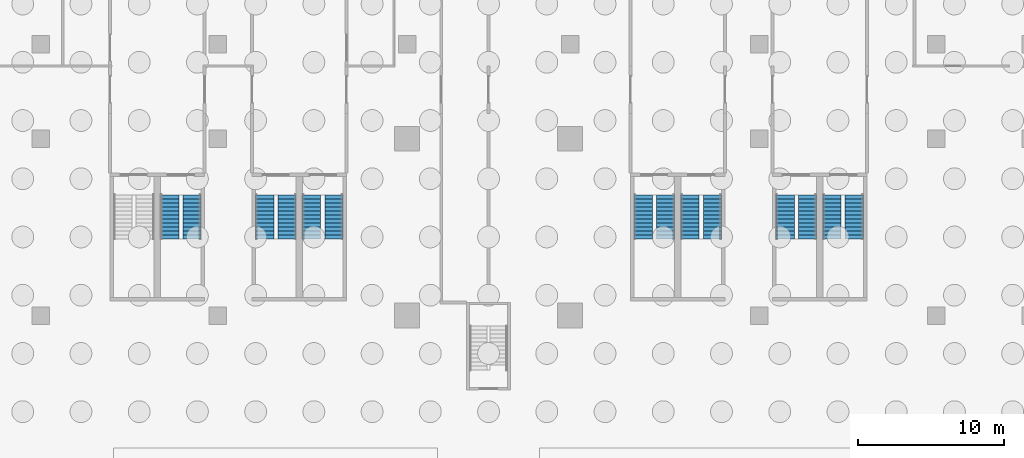
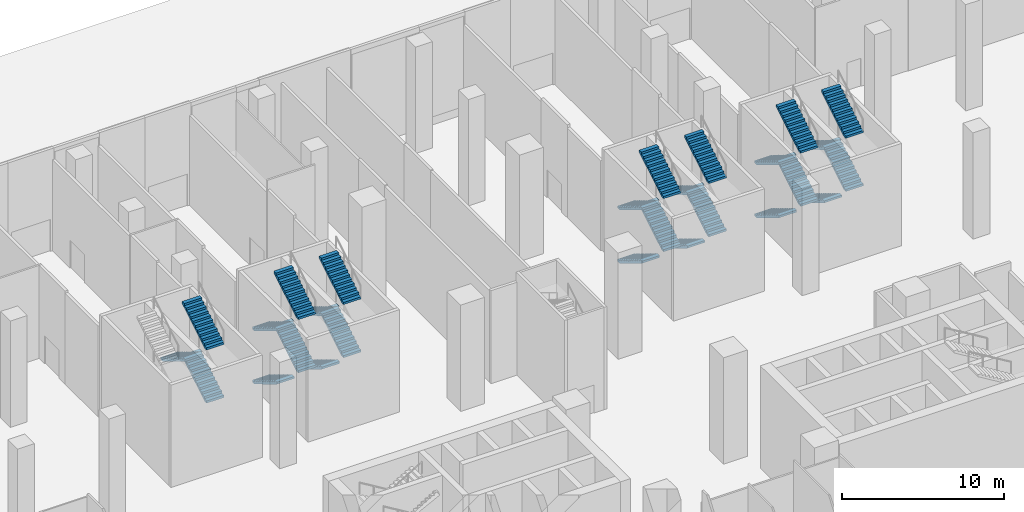
# One storey, part 25 of 27: 27 stair flights, 7 elements without a shape of their own.
"""IFC4 building model written with IfcOpenShell, lengths in metres."""

from ifc_helpers import new_model, si_unit, direction, frame, origin, place, context, subcontext, project, spatial, polyline, outline, extrude, source, transform, mapped, material, type_object, element, aggregate, save


model = new_model("IFC4")

# Units and contexts
model_context = context("Model", 3, precision=1e-05, world=origin(), true_north=direction((0.0, 1.0)))
body_context = subcontext(model_context, "Body", "Model", "MODEL_VIEW")
ifc_project = project(units=[si_unit("LENGTHUNIT", "METRE"), si_unit("AREAUNIT", "SQUARE_METRE"), si_unit("VOLUMEUNIT", "CUBIC_METRE"), si_unit("PLANEANGLEUNIT", "RADIAN"), si_unit("MASSUNIT", "GRAM", prefix="KILO")], contexts=[model_context])

# Site, building, storey
site_placement = place(None, origin())
site = spatial("IfcSite", under=ifc_project, at=site_placement, CompositionType="ELEMENT")
building_placement = place(site_placement, origin())
building = spatial("IfcBuilding", under=site, at=building_placement, Name="Trellis Farm Tower", CompositionType="ELEMENT")
storey_placement = place(building_placement, origin())
storey = spatial("IfcBuildingStorey", under=building, at=storey_placement, Name="L00", CompositionType="ELEMENT", Elevation=0.0)

# Stair, stair flights
ifc_material = material(Name="Concrete C50/60", Category="concrete")
stair_type = type_object("IfcStairType", Name="PODIUM EXIT STAIR 48 RISERS 167 MM 1250 WIDE", PredefinedType="HALF_TURN_STAIR", material=ifc_material)
placement = place(storey_placement, origin())
stair_1 = element("IfcStair", 1, at=placement, inside=storey, type_object=stair_type, Name="Podium exit stair STP1B", PredefinedType="HALF_TURN_STAIR")
stair_flight_type = type_object("IfcStairFlightType", Name="PODIUM STAIR FLIGHT 12 RISERS 167 MM 1250 WIDE", PredefinedType="STRAIGHT", material=ifc_material)
shared_shape = source(origin(), body_context, "Body", "SweptSolid", [
    extrude(outline(polyline([(0.0, 0.0), (0.0, 0.166748046875), (0.27490234375, 0.166748046875), (0.27490234375, 0.333251953125), (0.550048828125, 0.333251953125), (0.550048828125, 0.5), (0.824951171875, 0.5), (0.824951171875, 0.666748046875), (1.10009765625, 0.666748046875), (1.10009765625, 0.833251953125), (1.375, 0.833251953125), (1.375, 1.0), (1.64990234375, 1.0), (1.64990234375, 1.166748046875), (1.925048828125, 1.166748046875), (1.925048828125, 1.333251953125), (2.199951171875, 1.333251953125), (2.199951171875, 1.5), (2.47509765625, 1.5), (2.47509765625, 1.666748046875), (2.75, 1.666748046875), (2.75, 1.833251953125), (3.02490234375, 1.833251953125), (3.02490234375, 2.0), (3.02490234375, 1.681396484375), (0.25048828125, 0.0), (0.0, 0.0)])), frame((0.0, 0.625, 0.0), z_axis=(0.0, -1.0, 0.0), x_axis=(1.0, 0.0, 0.0)), (0.0, 0.0, 1.0), 1.25),
])
stair_flight_1_placement = place(storey_placement, frame((-20.375, 23.875, 2.0), z_axis=(0.0, 0.0, 1.0), x_axis=(0.0, 1.0, 0.0)))
stair_flight_1 = element("IfcStairFlight", 2, at=stair_flight_1_placement, type_object=stair_flight_type, Name="STP1B flight 2", NumberOfRisers=12, NumberOfTreads=11, PredefinedType="STRAIGHT", RiserHeight=0.166666667, TreadLength=0.275, context=body_context, shape_type="MappedRepresentation", body=[
    mapped(shared_shape, transform((0.0, 0.0, 0.0))),
])
stair_flight_2_placement = place(storey_placement, frame((-21.905029296875, 26.89990234375, 4.0), z_axis=(0.0, 0.0, 1.0), x_axis=(0.0, -1.0, 0.0)))
stair_flight_2 = element("IfcStairFlight", 3, at=stair_flight_2_placement, type_object=stair_flight_type, Name="STP1B flight 3", NumberOfRisers=12, NumberOfTreads=11, PredefinedType="STRAIGHT", RiserHeight=0.166666667, TreadLength=0.275, context=body_context, shape_type="MappedRepresentation", body=[
    mapped(shared_shape, transform((0.0, 0.0, 0.0))),
])
stair_flight_3_placement = place(storey_placement, frame((-20.375, 23.875, 6.0), z_axis=(0.0, 0.0, 1.0), x_axis=(0.0, 1.0, 0.0)))
stair_flight_3 = element("IfcStairFlight", 4, at=stair_flight_3_placement, type_object=stair_flight_type, Name="STP1B flight 4", NumberOfRisers=12, NumberOfTreads=11, PredefinedType="STRAIGHT", RiserHeight=0.166666667, TreadLength=0.275, context=body_context, shape_type="MappedRepresentation", body=[
    mapped(shared_shape, transform((0.0, 0.0, 0.0))),
])
aggregate(stair_1, [stair_flight_1, stair_flight_2, stair_flight_3])

stair_2 = element("IfcStair", 5, at=placement, inside=storey, type_object=stair_type, Name="Podium exit stair STP2A", PredefinedType="HALF_TURN_STAIR")
stair_flight_4_placement = place(storey_placement, frame((-15.375, 26.89990234375, 0.0), z_axis=(0.0, 0.0, 1.0), x_axis=(0.0, -1.0, 0.0)))
stair_flight_4 = element("IfcStairFlight", 6, at=stair_flight_4_placement, type_object=stair_flight_type, Name="STP2A flight 1", NumberOfRisers=12, NumberOfTreads=11, PredefinedType="STRAIGHT", RiserHeight=0.166666667, TreadLength=0.275, context=body_context, shape_type="MappedRepresentation", body=[
    mapped(shared_shape, transform((0.0, 0.0, 0.0))),
])
stair_flight_5_placement = place(storey_placement, frame((-13.844970703125, 23.875, 2.0), z_axis=(0.0, 0.0, 1.0), x_axis=(0.0, 1.0, 0.0)))
stair_flight_5 = element("IfcStairFlight", 7, at=stair_flight_5_placement, type_object=stair_flight_type, Name="STP2A flight 2", NumberOfRisers=12, NumberOfTreads=11, PredefinedType="STRAIGHT", RiserHeight=0.166666667, TreadLength=0.275, context=body_context, shape_type="MappedRepresentation", body=[
    mapped(shared_shape, transform((0.0, 0.0, 0.0))),
])
stair_flight_6_placement = place(storey_placement, frame((-15.375, 26.89990234375, 4.0), z_axis=(0.0, 0.0, 1.0), x_axis=(0.0, -1.0, 0.0)))
stair_flight_6 = element("IfcStairFlight", 8, at=stair_flight_6_placement, type_object=stair_flight_type, Name="STP2A flight 3", NumberOfRisers=12, NumberOfTreads=11, PredefinedType="STRAIGHT", RiserHeight=0.166666667, TreadLength=0.275, context=body_context, shape_type="MappedRepresentation", body=[
    mapped(shared_shape, transform((0.0, 0.0, 0.0))),
])
stair_flight_7_placement = place(storey_placement, frame((-13.844970703125, 23.875, 6.0), z_axis=(0.0, 0.0, 1.0), x_axis=(0.0, 1.0, 0.0)))
stair_flight_7 = element("IfcStairFlight", 9, at=stair_flight_7_placement, type_object=stair_flight_type, Name="STP2A flight 4", NumberOfRisers=12, NumberOfTreads=11, PredefinedType="STRAIGHT", RiserHeight=0.166666667, TreadLength=0.275, context=body_context, shape_type="MappedRepresentation", body=[
    mapped(shared_shape, transform((0.0, 0.0, 0.0))),
])
aggregate(stair_2, [stair_flight_4, stair_flight_5, stair_flight_6, stair_flight_7])

stair_3 = element("IfcStair", 10, at=placement, inside=storey, type_object=stair_type, Name="Podium exit stair STP2B", PredefinedType="HALF_TURN_STAIR")
stair_flight_8_placement = place(storey_placement, frame((-12.155029296875, 26.89990234375, 0.0), z_axis=(0.0, 0.0, 1.0), x_axis=(0.0, -1.0, 0.0)))
stair_flight_8 = element("IfcStairFlight", 11, at=stair_flight_8_placement, type_object=stair_flight_type, Name="STP2B flight 1", NumberOfRisers=12, NumberOfTreads=11, PredefinedType="STRAIGHT", RiserHeight=0.166666667, TreadLength=0.275, context=body_context, shape_type="MappedRepresentation", body=[
    mapped(shared_shape, transform((0.0, 0.0, 0.0))),
])
stair_flight_9_placement = place(storey_placement, frame((-10.625, 23.875, 2.0), z_axis=(0.0, 0.0, 1.0), x_axis=(0.0, 1.0, 0.0)))
stair_flight_9 = element("IfcStairFlight", 12, at=stair_flight_9_placement, type_object=stair_flight_type, Name="STP2B flight 2", NumberOfRisers=12, NumberOfTreads=11, PredefinedType="STRAIGHT", RiserHeight=0.166666667, TreadLength=0.275, context=body_context, shape_type="MappedRepresentation", body=[
    mapped(shared_shape, transform((0.0, 0.0, 0.0))),
])
stair_flight_10_placement = place(storey_placement, frame((-12.155029296875, 26.89990234375, 4.0), z_axis=(0.0, 0.0, 1.0), x_axis=(0.0, -1.0, 0.0)))
stair_flight_10 = element("IfcStairFlight", 13, at=stair_flight_10_placement, type_object=stair_flight_type, Name="STP2B flight 3", NumberOfRisers=12, NumberOfTreads=11, PredefinedType="STRAIGHT", RiserHeight=0.166666667, TreadLength=0.275, context=body_context, shape_type="MappedRepresentation", body=[
    mapped(shared_shape, transform((0.0, 0.0, 0.0))),
])
stair_flight_11_placement = place(storey_placement, frame((-10.625, 23.875, 6.0), z_axis=(0.0, 0.0, 1.0), x_axis=(0.0, 1.0, 0.0)))
stair_flight_11 = element("IfcStairFlight", 14, at=stair_flight_11_placement, type_object=stair_flight_type, Name="STP2B flight 4", NumberOfRisers=12, NumberOfTreads=11, PredefinedType="STRAIGHT", RiserHeight=0.166666667, TreadLength=0.275, context=body_context, shape_type="MappedRepresentation", body=[
    mapped(shared_shape, transform((0.0, 0.0, 0.0))),
])
aggregate(stair_3, [stair_flight_8, stair_flight_9, stair_flight_10, stair_flight_11])

stair_4 = element("IfcStair", 15, at=placement, inside=storey, type_object=stair_type, Name="Podium exit stair STP3A", PredefinedType="HALF_TURN_STAIR")
stair_flight_12_placement = place(storey_placement, frame((10.625, 26.89990234375, 0.0), z_axis=(0.0, 0.0, 1.0), x_axis=(0.0, -1.0, 0.0)))
stair_flight_12 = element("IfcStairFlight", 16, at=stair_flight_12_placement, type_object=stair_flight_type, Name="STP3A flight 1", NumberOfRisers=12, NumberOfTreads=11, PredefinedType="STRAIGHT", RiserHeight=0.166666667, TreadLength=0.275, context=body_context, shape_type="MappedRepresentation", body=[
    mapped(shared_shape, transform((0.0, 0.0, 0.0))),
])
stair_flight_13_placement = place(storey_placement, frame((12.155029296875, 23.875, 2.0), z_axis=(0.0, 0.0, 1.0), x_axis=(0.0, 1.0, 0.0)))
stair_flight_13 = element("IfcStairFlight", 17, at=stair_flight_13_placement, type_object=stair_flight_type, Name="STP3A flight 2", NumberOfRisers=12, NumberOfTreads=11, PredefinedType="STRAIGHT", RiserHeight=0.166666667, TreadLength=0.275, context=body_context, shape_type="MappedRepresentation", body=[
    mapped(shared_shape, transform((0.0, 0.0, 0.0))),
])
stair_flight_14_placement = place(storey_placement, frame((10.625, 26.89990234375, 4.0), z_axis=(0.0, 0.0, 1.0), x_axis=(0.0, -1.0, 0.0)))
stair_flight_14 = element("IfcStairFlight", 18, at=stair_flight_14_placement, type_object=stair_flight_type, Name="STP3A flight 3", NumberOfRisers=12, NumberOfTreads=11, PredefinedType="STRAIGHT", RiserHeight=0.166666667, TreadLength=0.275, context=body_context, shape_type="MappedRepresentation", body=[
    mapped(shared_shape, transform((0.0, 0.0, 0.0))),
])
stair_flight_15_placement = place(storey_placement, frame((12.155029296875, 23.875, 6.0), z_axis=(0.0, 0.0, 1.0), x_axis=(0.0, 1.0, 0.0)))
stair_flight_15 = element("IfcStairFlight", 19, at=stair_flight_15_placement, type_object=stair_flight_type, Name="STP3A flight 4", NumberOfRisers=12, NumberOfTreads=11, PredefinedType="STRAIGHT", RiserHeight=0.166666667, TreadLength=0.275, context=body_context, shape_type="MappedRepresentation", body=[
    mapped(shared_shape, transform((0.0, 0.0, 0.0))),
])
aggregate(stair_4, [stair_flight_12, stair_flight_13, stair_flight_14, stair_flight_15])

stair_5 = element("IfcStair", 20, at=placement, inside=storey, type_object=stair_type, Name="Podium exit stair STP3B", PredefinedType="HALF_TURN_STAIR")
stair_flight_16_placement = place(storey_placement, frame((13.844970703125, 26.89990234375, 0.0), z_axis=(0.0, 0.0, 1.0), x_axis=(0.0, -1.0, 0.0)))
stair_flight_16 = element("IfcStairFlight", 21, at=stair_flight_16_placement, type_object=stair_flight_type, Name="STP3B flight 1", NumberOfRisers=12, NumberOfTreads=11, PredefinedType="STRAIGHT", RiserHeight=0.166666667, TreadLength=0.275, context=body_context, shape_type="MappedRepresentation", body=[
    mapped(shared_shape, transform((0.0, 0.0, 0.0))),
])
stair_flight_17_placement = place(storey_placement, frame((15.375, 23.875, 2.0), z_axis=(0.0, 0.0, 1.0), x_axis=(0.0, 1.0, 0.0)))
stair_flight_17 = element("IfcStairFlight", 22, at=stair_flight_17_placement, type_object=stair_flight_type, Name="STP3B flight 2", NumberOfRisers=12, NumberOfTreads=11, PredefinedType="STRAIGHT", RiserHeight=0.166666667, TreadLength=0.275, context=body_context, shape_type="MappedRepresentation", body=[
    mapped(shared_shape, transform((0.0, 0.0, 0.0))),
])
stair_flight_18_placement = place(storey_placement, frame((13.844970703125, 26.89990234375, 4.0), z_axis=(0.0, 0.0, 1.0), x_axis=(0.0, -1.0, 0.0)))
stair_flight_18 = element("IfcStairFlight", 23, at=stair_flight_18_placement, type_object=stair_flight_type, Name="STP3B flight 3", NumberOfRisers=12, NumberOfTreads=11, PredefinedType="STRAIGHT", RiserHeight=0.166666667, TreadLength=0.275, context=body_context, shape_type="MappedRepresentation", body=[
    mapped(shared_shape, transform((0.0, 0.0, 0.0))),
])
stair_flight_19_placement = place(storey_placement, frame((15.375, 23.875, 6.0), z_axis=(0.0, 0.0, 1.0), x_axis=(0.0, 1.0, 0.0)))
stair_flight_19 = element("IfcStairFlight", 24, at=stair_flight_19_placement, type_object=stair_flight_type, Name="STP3B flight 4", NumberOfRisers=12, NumberOfTreads=11, PredefinedType="STRAIGHT", RiserHeight=0.166666667, TreadLength=0.275, context=body_context, shape_type="MappedRepresentation", body=[
    mapped(shared_shape, transform((0.0, 0.0, 0.0))),
])
aggregate(stair_5, [stair_flight_16, stair_flight_17, stair_flight_18, stair_flight_19])

stair_6 = element("IfcStair", 25, at=placement, inside=storey, type_object=stair_type, Name="Podium exit stair STP4A", PredefinedType="HALF_TURN_STAIR")
stair_flight_20_placement = place(storey_placement, frame((20.375, 26.89990234375, 0.0), z_axis=(0.0, 0.0, 1.0), x_axis=(0.0, -1.0, 0.0)))
stair_flight_20 = element("IfcStairFlight", 26, at=stair_flight_20_placement, type_object=stair_flight_type, Name="STP4A flight 1", NumberOfRisers=12, NumberOfTreads=11, PredefinedType="STRAIGHT", RiserHeight=0.166666667, TreadLength=0.275, context=body_context, shape_type="MappedRepresentation", body=[
    mapped(shared_shape, transform((0.0, 0.0, 0.0))),
])
stair_flight_21_placement = place(storey_placement, frame((21.905029296875, 23.875, 2.0), z_axis=(0.0, 0.0, 1.0), x_axis=(0.0, 1.0, 0.0)))
stair_flight_21 = element("IfcStairFlight", 27, at=stair_flight_21_placement, type_object=stair_flight_type, Name="STP4A flight 2", NumberOfRisers=12, NumberOfTreads=11, PredefinedType="STRAIGHT", RiserHeight=0.166666667, TreadLength=0.275, context=body_context, shape_type="MappedRepresentation", body=[
    mapped(shared_shape, transform((0.0, 0.0, 0.0))),
])
stair_flight_22_placement = place(storey_placement, frame((20.375, 26.89990234375, 4.0), z_axis=(0.0, 0.0, 1.0), x_axis=(0.0, -1.0, 0.0)))
stair_flight_22 = element("IfcStairFlight", 28, at=stair_flight_22_placement, type_object=stair_flight_type, Name="STP4A flight 3", NumberOfRisers=12, NumberOfTreads=11, PredefinedType="STRAIGHT", RiserHeight=0.166666667, TreadLength=0.275, context=body_context, shape_type="MappedRepresentation", body=[
    mapped(shared_shape, transform((0.0, 0.0, 0.0))),
])
stair_flight_23_placement = place(storey_placement, frame((21.905029296875, 23.875, 6.0), z_axis=(0.0, 0.0, 1.0), x_axis=(0.0, 1.0, 0.0)))
stair_flight_23 = element("IfcStairFlight", 29, at=stair_flight_23_placement, type_object=stair_flight_type, Name="STP4A flight 4", NumberOfRisers=12, NumberOfTreads=11, PredefinedType="STRAIGHT", RiserHeight=0.166666667, TreadLength=0.275, context=body_context, shape_type="MappedRepresentation", body=[
    mapped(shared_shape, transform((0.0, 0.0, 0.0))),
])
aggregate(stair_6, [stair_flight_20, stair_flight_21, stair_flight_22, stair_flight_23])

stair_7 = element("IfcStair", 30, at=placement, inside=storey, type_object=stair_type, Name="Podium exit stair STP4B", PredefinedType="HALF_TURN_STAIR")
stair_flight_24_placement = place(storey_placement, frame((23.594970703125, 26.89990234375, 0.0), z_axis=(0.0, 0.0, 1.0), x_axis=(0.0, -1.0, 0.0)))
stair_flight_24 = element("IfcStairFlight", 31, at=stair_flight_24_placement, type_object=stair_flight_type, Name="STP4B flight 1", NumberOfRisers=12, NumberOfTreads=11, PredefinedType="STRAIGHT", RiserHeight=0.166666667, TreadLength=0.275, context=body_context, shape_type="MappedRepresentation", body=[
    mapped(shared_shape, transform((0.0, 0.0, 0.0))),
])
stair_flight_25_placement = place(storey_placement, frame((25.125, 23.875, 2.0), z_axis=(0.0, 0.0, 1.0), x_axis=(0.0, 1.0, 0.0)))
stair_flight_25 = element("IfcStairFlight", 32, at=stair_flight_25_placement, type_object=stair_flight_type, Name="STP4B flight 2", NumberOfRisers=12, NumberOfTreads=11, PredefinedType="STRAIGHT", RiserHeight=0.166666667, TreadLength=0.275, context=body_context, shape_type="MappedRepresentation", body=[
    mapped(shared_shape, transform((0.0, 0.0, 0.0))),
])
stair_flight_26_placement = place(storey_placement, frame((23.594970703125, 26.89990234375, 4.0), z_axis=(0.0, 0.0, 1.0), x_axis=(0.0, -1.0, 0.0)))
stair_flight_26 = element("IfcStairFlight", 33, at=stair_flight_26_placement, type_object=stair_flight_type, Name="STP4B flight 3", NumberOfRisers=12, NumberOfTreads=11, PredefinedType="STRAIGHT", RiserHeight=0.166666667, TreadLength=0.275, context=body_context, shape_type="MappedRepresentation", body=[
    mapped(shared_shape, transform((0.0, 0.0, 0.0))),
])
stair_flight_27_placement = place(storey_placement, frame((25.125, 23.875, 6.0), z_axis=(0.0, 0.0, 1.0), x_axis=(0.0, 1.0, 0.0)))
stair_flight_27 = element("IfcStairFlight", 34, at=stair_flight_27_placement, type_object=stair_flight_type, Name="STP4B flight 4", NumberOfRisers=12, NumberOfTreads=11, PredefinedType="STRAIGHT", RiserHeight=0.166666667, TreadLength=0.275, context=body_context, shape_type="MappedRepresentation", body=[
    mapped(shared_shape, transform((0.0, 0.0, 0.0))),
])
aggregate(stair_7, [stair_flight_24, stair_flight_25, stair_flight_26, stair_flight_27])

save(model, "model.ifc")
